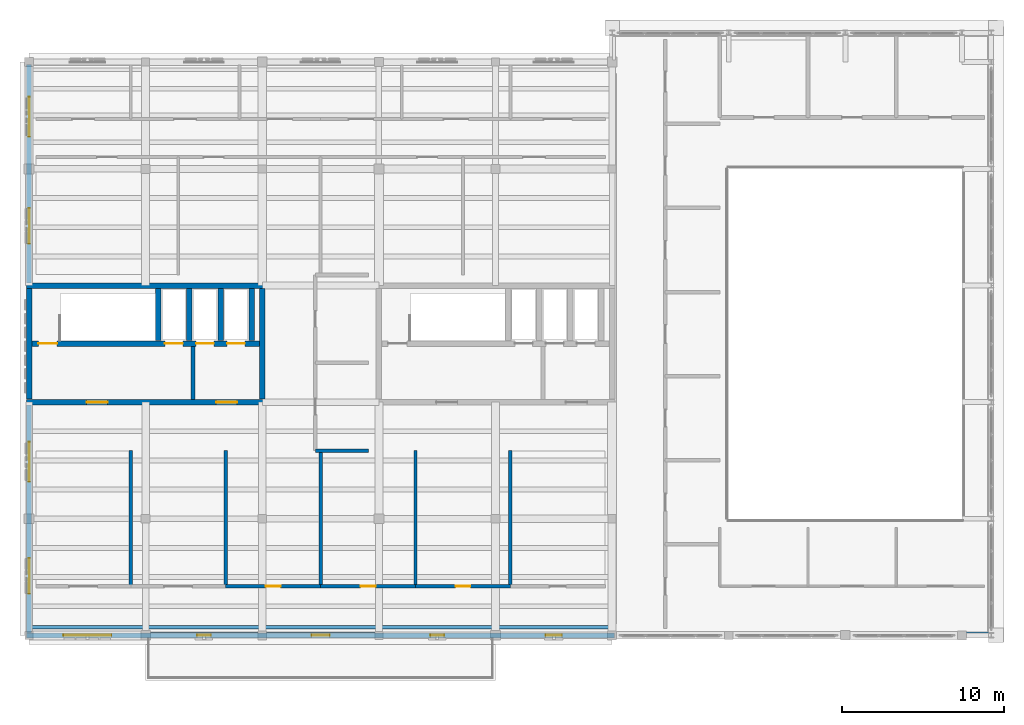
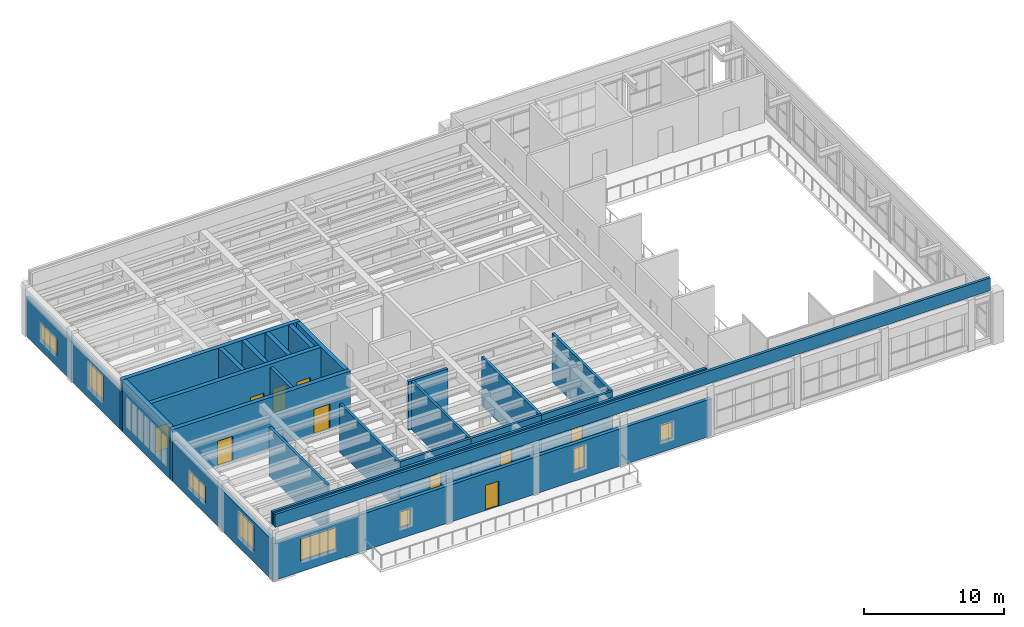
# One storey, part 13 of 18: 24 walls, 10 doors, 8 windows, 18 openings.
"""IFC4 building model written with IfcOpenShell, lengths in metres."""

from ifc_helpers import new_model, si_unit, direction, frame, frame_2d, origin, place, context, subcontext, project, spatial, rectangle, extrude, material, layer, layer_set, type_object, element, fill, save


model = new_model("IFC4")

# Units and contexts
model_context = context("Model", 3, precision=1e-05, world=origin(), true_north=direction((0.0, 1.0)))
body_context = subcontext(model_context, "Body", "Model", "MODEL_VIEW")
ifc_project = project(units=[si_unit("LENGTHUNIT", "METRE"), si_unit("AREAUNIT", "SQUARE_METRE"), si_unit("VOLUMEUNIT", "CUBIC_METRE"), si_unit("PLANEANGLEUNIT", "RADIAN"), si_unit("MASSUNIT", "GRAM", prefix="KILO")], contexts=[model_context])

# Site, building, storey
site_placement = place(None, origin())
site = spatial("IfcSite", under=ifc_project, at=site_placement, CompositionType="ELEMENT")
building_placement = place(site_placement, origin())
building = spatial("IfcBuilding", under=site, at=building_placement, Name="Mithqara Police Headquarters", CompositionType="ELEMENT")
storey_placement = place(building_placement, frame((0.0, 0.0, 30.89990234375)))
storey = spatial("IfcBuildingStorey", under=building, at=storey_placement, Name="L07", CompositionType="ELEMENT", Elevation=30.89990234375)

# Wall
ifc_material_1 = material(Name="Concrete C40/50", Category="concrete")
ifc_layer_1 = layer(ifc_material_1, 0.239990234375, Name="Concrete C40/50")
ifc_layer_set_1 = layer_set([ifc_layer_1], Name="Concrete C40/50")
wall_type_1 = type_object("IfcWallType", Name="CORE LOBBY WALL 240", PredefinedType="SOLIDWALL", material=ifc_layer_set_1)
wall_1_placement = place(storey_placement, frame((118.72998046875, 93.169921875, 0.0), z_axis=(0.0, 0.0, 1.0), x_axis=(0.0, 1.0, 0.0)))
element("IfcWall", 1, at=wall_1_placement, inside=storey, type_object=wall_type_1, Name="Core C1 Command West Firefighting Lobby Separation Wall L07", PredefinedType="SOLIDWALL", context=body_context, shape_type="SweptSolid", body=[
    extrude(rectangle(XDim=3.280029296875, YDim=0.239990234375, at=frame_2d((1.64013671875, 0.0))), origin(), (0.0, 0.0, 1.0), 4.22021484375),
])

# Wall, openings, door, windows
ifc_material_2 = material(Name="Ochre masonry cavity wall, 35 MPa", Category="masonry")
ifc_layer_2 = layer(ifc_material_2, 0.300048828125, Name="Ochre masonry cavity wall, 35 MPa")
ifc_layer_set_2 = layer_set([ifc_layer_2], Name="Ochre masonry cavity wall, 35 MPa")
wall_type_2 = type_object("IfcWallType", Name="EXT WALL OCHRE BRICK300", PredefinedType="SOLIDWALL", material=ifc_layer_set_2)
wall_2_placement = place(storey_placement, frame((108.449951171875, 78.60009765625, 0.0), z_axis=(0.0, 0.0, 1.0), x_axis=(1.0, 0.0, 0.0)))
wall_2 = element("IfcWall", 2, at=wall_2_placement, inside=storey, type_object=wall_type_2, Name="L07 Exterior Wall 1.1", PredefinedType="SOLIDWALL", context=body_context, shape_type="SweptSolid", body=[
    extrude(rectangle(XDim=36.300048828125, YDim=0.300048828125, at=frame_2d((18.14990234375, 0.0))), origin(), (0.0, 0.0, 1.0), 3.25),
])
opening_1_placement = place(wall_2_placement, frame((17.60009765625, 0.0, 0.0)))
opening_1 = element("IfcOpeningElement", 3, at=opening_1_placement, cuts=wall_2, Name="Opening TD-01", PredefinedType="OPENING", context=body_context, shape_type="SweptSolid", body=[
    extrude(rectangle(XDim=1.10009765625, YDim=2.199951171875, at=frame_2d((0.550048828125, 1.10009765625))), frame((0.0, 0.16015625, 0.0), z_axis=(0.0, -1.0, 0.0), x_axis=(1.0, 0.0, 0.0)), (0.0, 0.0, 1.0), 0.320068359375),
])
opening_2_placement = place(wall_2_placement, frame((2.27490234375, 0.0, 0.949951171875)))
opening_2 = element("IfcOpeningElement", 4, at=opening_2_placement, cuts=wall_2, Name="Opening W-58", PredefinedType="OPENING", context=body_context, shape_type="SweptSolid", body=[
    extrude(rectangle(XDim=2.949951171875, YDim=1.89990234375, at=frame_2d((1.47509765625, 0.949951171875))), frame((0.0, 0.16015625, 0.0), z_axis=(0.0, -1.0, 0.0), x_axis=(1.0, 0.0, 0.0)), (0.0, 0.0, 1.0), 0.320068359375),
])
opening_3_placement = place(wall_2_placement, frame((10.52490234375, 0.0, 0.949951171875)))
opening_3 = element("IfcOpeningElement", 5, at=opening_3_placement, cuts=wall_2, Name="Opening W-01", PredefinedType="OPENING", context=body_context, shape_type="SweptSolid", body=[
    extrude(rectangle(XDim=0.85009765625, YDim=1.39990234375, at=frame_2d((0.425048828125, 0.699951171875))), frame((0.0, 0.16015625, 0.0), z_axis=(0.0, -1.0, 0.0), x_axis=(1.0, 0.0, 0.0)), (0.0, 0.0, 1.0), 0.320068359375),
])
opening_4_placement = place(wall_2_placement, frame((24.925048828125, 0.0, 0.949951171875)))
opening_4 = element("IfcOpeningElement", 6, at=opening_4_placement, cuts=wall_2, Name="Opening W-03", PredefinedType="OPENING", context=body_context, shape_type="SweptSolid", body=[
    extrude(rectangle(XDim=0.85009765625, YDim=1.89990234375, at=frame_2d((0.425048828125, 0.949951171875))), frame((0.0, 0.16015625, 0.0), z_axis=(0.0, -1.0, 0.0), x_axis=(1.0, 0.0, 0.0)), (0.0, 0.0, 1.0), 0.320068359375),
])
opening_5_placement = place(wall_2_placement, frame((32.050048828125, 0.0, 0.949951171875)))
opening_5 = element("IfcOpeningElement", 7, at=opening_5_placement, cuts=wall_2, Name="Opening W-06", PredefinedType="OPENING", context=body_context, shape_type="SweptSolid", body=[
    extrude(rectangle(XDim=1.0, YDim=1.39990234375, at=frame_2d((0.5, 0.699951171875))), frame((0.0, 0.16015625, 0.0), z_axis=(0.0, -1.0, 0.0), x_axis=(1.0, 0.0, 0.0)), (0.0, 0.0, 1.0), 0.320068359375),
])
ifc_material_3 = material(Name="Bronze anodised aluminium 6063-T6", Category="aluminium")
door_type_1 = type_object("IfcDoorType", Name="EXT DOOR TERRACE 1100X2200", OperationType="NOTDEFINED", PredefinedType="DOOR", material=ifc_material_3)
door_1_placement = place(opening_1_placement, frame((1.10009765625, 0.0, 0.0), z_axis=(0.0, 0.0, 1.0), x_axis=(-1.0, 0.0, 0.0)))
door_1 = element("IfcDoor", 8, at=door_1_placement, inside=storey, type_object=door_type_1, Name="L07 Terrace Access Door TER-L07-S", OperationType="SINGLE_SWING_LEFT", OverallHeight=2.199951171875, OverallWidth=1.10009765625, PredefinedType="DOOR", context=body_context, shape_type="SweptSolid", body=[
    extrude(rectangle(XDim=1.10009765625, YDim=2.199951171875, at=frame_2d((0.550048828125, 1.10009765625))), frame((0.0, 0.02490234375, 0.0), z_axis=(0.0, -1.0, 0.0), x_axis=(1.0, 0.0, 0.0)), (0.0, 0.0, 1.0), 0.050048828125),
])
fill(opening_1, door_1)
ifc_material_4 = material(Name="Spectrally selective double low-e glass", Category="glass")
window_type_1 = type_object("IfcWindowType", Name="WINDOW 1000X1400", PartitioningType="SINGLE_PANEL", PredefinedType="WINDOW", material=ifc_material_4)
window_1_placement = place(opening_5_placement, origin())
window_1 = element("IfcWindow", 9, at=window_1_placement, inside=storey, type_object=window_type_1, Name="L07 Command Block Screened Window 1.5", OverallHeight=1.39990234375, OverallWidth=1.0, PartitioningType="SINGLE_PANEL", PredefinedType="WINDOW", context=body_context, shape_type="SweptSolid", body=[
    extrude(rectangle(XDim=1.0, YDim=1.39990234375, at=frame_2d((0.5, 0.699951171875))), frame((0.0, 0.030029296875, 0.0), z_axis=(0.0, -1.0, 0.0), x_axis=(1.0, 0.0, 0.0)), (0.0, 0.0, 1.0), 0.06005859375),
])
fill(opening_5, window_1)
window_type_2 = type_object("IfcWindowType", Name="WINDOW 2950X1900", PartitioningType="DOUBLE_PANEL_VERTICAL", PredefinedType="WINDOW", material=ifc_material_4)
window_2_placement = place(opening_2_placement, origin())
window_2 = element("IfcWindow", 10, at=window_2_placement, inside=storey, type_object=window_type_2, Name="L07 Command Block Screened Window 1.1", OverallHeight=1.89990234375, OverallWidth=2.949951171875, PartitioningType="SINGLE_PANEL", PredefinedType="WINDOW", context=body_context, shape_type="SweptSolid", body=[
    extrude(rectangle(XDim=2.949951171875, YDim=1.89990234375, at=frame_2d((1.47509765625, 0.949951171875))), frame((0.0, 0.030029296875, 0.0), z_axis=(0.0, -1.0, 0.0), x_axis=(1.0, 0.0, 0.0)), (0.0, 0.0, 1.0), 0.06005859375),
])
fill(opening_2, window_2)
window_type_3 = type_object("IfcWindowType", Name="WINDOW 850X1400", PartitioningType="SINGLE_PANEL", PredefinedType="WINDOW", material=ifc_material_4)
window_3_placement = place(opening_3_placement, origin())
window_3 = element("IfcWindow", 11, at=window_3_placement, inside=storey, type_object=window_type_3, Name="L07 Command Block Screened Window 1.2", OverallHeight=1.39990234375, OverallWidth=0.85009765625, PartitioningType="SINGLE_PANEL", PredefinedType="WINDOW", context=body_context, shape_type="SweptSolid", body=[
    extrude(rectangle(XDim=0.85009765625, YDim=1.39990234375, at=frame_2d((0.425048828125, 0.699951171875))), frame((0.0, 0.030029296875, 0.0), z_axis=(0.0, -1.0, 0.0), x_axis=(1.0, 0.0, 0.0)), (0.0, 0.0, 1.0), 0.06005859375),
])
fill(opening_3, window_3)
window_type_4 = type_object("IfcWindowType", Name="WINDOW 850X1900", PartitioningType="SINGLE_PANEL", PredefinedType="WINDOW", material=ifc_material_4)
window_4_placement = place(opening_4_placement, origin())
window_4 = element("IfcWindow", 12, at=window_4_placement, inside=storey, type_object=window_type_4, Name="L07 Command Block Screened Window 1.4", OverallHeight=1.89990234375, OverallWidth=0.85009765625, PartitioningType="SINGLE_PANEL", PredefinedType="WINDOW", context=body_context, shape_type="SweptSolid", body=[
    extrude(rectangle(XDim=0.85009765625, YDim=1.89990234375, at=frame_2d((0.425048828125, 0.949951171875))), frame((0.0, 0.030029296875, 0.0), z_axis=(0.0, -1.0, 0.0), x_axis=(1.0, 0.0, 0.0)), (0.0, 0.0, 1.0), 0.06005859375),
])
fill(opening_4, window_4)

# Wall, openings, windows
wall_3_placement = place(storey_placement, frame((108.60009765625, 113.85009765625, 0.0), z_axis=(0.0, 0.0, 1.0), x_axis=(0.0, -1.0, 0.0)))
wall_3 = element("IfcWall", 13, at=wall_3_placement, inside=storey, type_object=wall_type_2, Name="L07 Exterior Wall 7.1", PredefinedType="SOLIDWALL", context=body_context, shape_type="SweptSolid", body=[
    extrude(rectangle(XDim=13.47998046875, YDim=0.300048828125, at=frame_2d((6.739990234375, 0.0))), origin(), (0.0, 0.0, 1.0), 3.400146484375),
])
opening_6_placement = place(wall_3_placement, frame((8.864990234375, 0.0, 0.949951171875)))
opening_6 = element("IfcOpeningElement", 14, at=opening_6_placement, cuts=wall_3, Name="Opening W-44", PredefinedType="OPENING", context=body_context, shape_type="SweptSolid", body=[
    extrude(rectangle(XDim=2.199951171875, YDim=2.14990234375, at=frame_2d((1.10009765625, 1.074951171875))), frame((0.0, 0.16015625, 0.0), z_axis=(0.0, -1.0, 0.0), x_axis=(1.0, 0.0, 0.0)), (0.0, 0.0, 1.0), 0.320068359375),
])
opening_7_placement = place(wall_3_placement, frame((2.0, 0.0, 0.949951171875)))
opening_7 = element("IfcOpeningElement", 15, at=opening_7_placement, cuts=wall_3, Name="Opening W-46", PredefinedType="OPENING", context=body_context, shape_type="SweptSolid", body=[
    extrude(rectangle(XDim=2.449951171875, YDim=1.39990234375, at=frame_2d((1.22509765625, 0.699951171875))), frame((0.0, 0.16015625, 0.0), z_axis=(0.0, -1.0, 0.0), x_axis=(1.0, 0.0, 0.0)), (0.0, 0.0, 1.0), 0.320068359375),
])
window_type_5 = type_object("IfcWindowType", Name="WINDOW 2200X2150", PartitioningType="DOUBLE_PANEL_VERTICAL", PredefinedType="WINDOW", material=ifc_material_4)
window_5_placement = place(opening_6_placement, origin())
window_5 = element("IfcWindow", 16, at=window_5_placement, inside=storey, type_object=window_type_5, Name="L07 Command Block Screened Window 7.1", OverallHeight=2.14990234375, OverallWidth=2.199951171875, PartitioningType="SINGLE_PANEL", PredefinedType="WINDOW", context=body_context, shape_type="SweptSolid", body=[
    extrude(rectangle(XDim=2.199951171875, YDim=2.14990234375, at=frame_2d((1.10009765625, 1.074951171875))), frame((0.0, 0.030029296875, 0.0), z_axis=(0.0, -1.0, 0.0), x_axis=(1.0, 0.0, 0.0)), (0.0, 0.0, 1.0), 0.06005859375),
])
fill(opening_6, window_5)
window_type_6 = type_object("IfcWindowType", Name="WINDOW 2450X1400", PartitioningType="DOUBLE_PANEL_VERTICAL", PredefinedType="WINDOW", material=ifc_material_4)
window_6_placement = place(opening_7_placement, origin())
window_6 = element("IfcWindow", 17, at=window_6_placement, inside=storey, type_object=window_type_6, Name="L07 Command Block Screened Window 7.2", OverallHeight=1.39990234375, OverallWidth=2.449951171875, PartitioningType="SINGLE_PANEL", PredefinedType="WINDOW", context=body_context, shape_type="SweptSolid", body=[
    extrude(rectangle(XDim=2.449951171875, YDim=1.39990234375, at=frame_2d((1.22509765625, 0.699951171875))), frame((0.0, 0.030029296875, 0.0), z_axis=(0.0, -1.0, 0.0), x_axis=(1.0, 0.0, 0.0)), (0.0, 0.0, 1.0), 0.06005859375),
])
fill(opening_7, window_6)

wall_4_placement = place(storey_placement, frame((108.60009765625, 92.830078125, 0.0), z_axis=(0.0, 0.0, 1.0), x_axis=(0.0, -1.0, 0.0)))
wall_4 = element("IfcWall", 18, at=wall_4_placement, inside=storey, type_object=wall_type_2, Name="L07 Exterior Wall 7.2", PredefinedType="SOLIDWALL", context=body_context, shape_type="SweptSolid", body=[
    extrude(rectangle(XDim=14.080078125, YDim=0.300048828125, at=frame_2d((7.0400390625, 0.0))), origin(), (0.0, 0.0, 1.0), 3.5),
])
opening_8_placement = place(wall_4_placement, frame((9.455078125, 0.0, 0.949951171875)))
opening_8 = element("IfcOpeningElement", 19, at=opening_8_placement, cuts=wall_4, Name="Opening W-44", PredefinedType="OPENING", context=body_context, shape_type="SweptSolid", body=[
    extrude(rectangle(XDim=2.199951171875, YDim=2.14990234375, at=frame_2d((1.10009765625, 1.074951171875))), frame((0.0, 0.16015625, 0.0), z_axis=(0.0, -1.0, 0.0), x_axis=(1.0, 0.0, 0.0)), (0.0, 0.0, 1.0), 0.320068359375),
])
opening_9_placement = place(wall_4_placement, frame((2.2900390625, 0.0, 0.949951171875)))
opening_9 = element("IfcOpeningElement", 20, at=opening_9_placement, cuts=wall_4, Name="Opening W-46", PredefinedType="OPENING", context=body_context, shape_type="SweptSolid", body=[
    extrude(rectangle(XDim=2.449951171875, YDim=1.39990234375, at=frame_2d((1.22509765625, 0.699951171875))), frame((0.0, 0.16015625, 0.0), z_axis=(0.0, -1.0, 0.0), x_axis=(1.0, 0.0, 0.0)), (0.0, 0.0, 1.0), 0.320068359375),
])
window_7_placement = place(opening_8_placement, origin())
window_7 = element("IfcWindow", 21, at=window_7_placement, inside=storey, type_object=window_type_5, Name="L07 Command Block Screened Window 7.1", OverallHeight=2.14990234375, OverallWidth=2.199951171875, PartitioningType="SINGLE_PANEL", PredefinedType="WINDOW", context=body_context, shape_type="SweptSolid", body=[
    extrude(rectangle(XDim=2.199951171875, YDim=2.14990234375, at=frame_2d((1.10009765625, 1.074951171875))), frame((0.0, 0.030029296875, 0.0), z_axis=(0.0, -1.0, 0.0), x_axis=(1.0, 0.0, 0.0)), (0.0, 0.0, 1.0), 0.06005859375),
])
fill(opening_8, window_7)
window_8_placement = place(opening_9_placement, origin())
window_8 = element("IfcWindow", 22, at=window_8_placement, inside=storey, type_object=window_type_6, Name="L07 Command Block Screened Window 7.2", OverallHeight=1.39990234375, OverallWidth=2.449951171875, PartitioningType="SINGLE_PANEL", PredefinedType="WINDOW", context=body_context, shape_type="SweptSolid", body=[
    extrude(rectangle(XDim=2.449951171875, YDim=1.39990234375, at=frame_2d((1.22509765625, 0.699951171875))), frame((0.0, 0.030029296875, 0.0), z_axis=(0.0, -1.0, 0.0), x_axis=(1.0, 0.0, 0.0)), (0.0, 0.0, 1.0), 0.06005859375),
])
fill(opening_9, window_8)

# Walls
ifc_material_5 = material(Name="Limestone ashlar masonry, 45 MPa", Category="masonry")
ifc_layer_3 = layer(ifc_material_5, 0.219970703125, Name="Limestone ashlar masonry, 45 MPa")
ifc_layer_set_3 = layer_set([ifc_layer_3], Name="Limestone ashlar masonry, 45 MPa")
wall_type_3 = type_object("IfcWallType", Name="PARAPET WALL 220", PredefinedType="PARAPET", material=ifc_layer_set_3)
wall_5_placement = place(storey_placement, frame((108.7099609375, 79.090087890625, 4.5), z_axis=(0.0, 0.0, 1.0), x_axis=(1.0, 0.0, 0.0)))
element("IfcWall", 23, at=wall_5_placement, inside=storey, type_object=wall_type_3, Name="ROOF Limestone Roof Parapet ROOF-L07-00-1", PredefinedType="PARAPET", context=body_context, shape_type="SweptSolid", body=[
    extrude(rectangle(XDim=35.93994140625, YDim=0.219970703125, at=frame_2d((17.969970703125, 0.0))), origin(), (0.0, 0.0, 1.0), 1.1201171875),
])
wall_6_placement = place(storey_placement, frame((167.889892578125, 78.7099609375, 4.5), z_axis=(0.0, 0.0, 1.0), x_axis=(-1.0, 0.0, 0.0)))
element("IfcWall", 24, at=wall_6_placement, inside=storey, type_object=wall_type_3, Name="ROOF Limestone Roof Parapet ROOF-L07-00-57", PredefinedType="PARAPET", context=body_context, shape_type="SweptSolid", body=[
    extrude(rectangle(XDim=59.179931640625, YDim=0.219970703125, at=frame_2d((29.58984375, 0.0))), origin(), (0.0, 0.0, 1.0), 1.1201171875),
])
ifc_layer_4 = layer(ifc_material_1, 0.2099609375, Name="Concrete C40/50")
ifc_layer_set_4 = layer_set([ifc_layer_4], Name="Concrete C40/50")
wall_type_4 = type_object("IfcWallType", Name="PART WALL 210", PredefinedType="PARTITIONING", material=ifc_layer_set_4)
for number, where, z_axis, x_axis, name in (
    (25, (114.8798828125, 81.639892578125, 0.0), (0.0, 0.0, 1.0), (0.0, 1.0, 0.0), "L07 Room Partition Interagency Situation Room"),
    (26, (120.739990234375, 81.639892578125, 0.0), (0.0, 0.0, 1.0), (0.0, 1.0, 0.0), "L07 Room Partition Secure Satellite Communications Room"),
):
    element("IfcWall", number, at=place(storey_placement, frame(where, z_axis=z_axis, x_axis=x_axis)), inside=storey, type_object=wall_type_4, Name=name, PredefinedType="PARTITIONING", context=body_context, shape_type="SweptSolid", body=[
        extrude(rectangle(XDim=8.360107421875, YDim=0.2099609375, at=frame_2d((4.18017578125, 0.0))), origin(), (0.0, 0.0, 1.0), 4.25),
    ])

# Wall, opening, door
wall_7_placement = place(storey_placement, frame((120.739990234375, 81.639892578125, 0.0), z_axis=(0.0, 0.0, 1.0), x_axis=(1.0, 0.0, 0.0)))
wall_7 = element("IfcWall", 27, at=wall_7_placement, inside=storey, type_object=wall_type_4, Name="L07 Corridor Wall Executive Conference Room", PredefinedType="PARTITIONING", context=body_context, shape_type="SweptSolid", body=[
    extrude(rectangle(XDim=5.860107421875, YDim=0.2099609375, at=frame_2d((2.93017578125, 0.0))), origin(), (0.0, 0.0, 1.0), 4.25),
])
opening_10_placement = place(wall_7_placement, frame((2.469970703125, 0.0, 0.0)))
opening_10 = element("IfcOpeningElement", 28, at=opening_10_placement, cuts=wall_7, Name="Opening D-01", PredefinedType="OPENING", context=body_context, shape_type="SweptSolid", body=[
    extrude(rectangle(XDim=0.919921875, YDim=2.10009765625, at=frame_2d((0.4599609375, 1.050048828125))), frame((0.0, 0.114990234375, 0.0), z_axis=(0.0, -1.0, 0.0), x_axis=(1.0, 0.0, 0.0)), (0.0, 0.0, 1.0), 0.22998046875),
])
ifc_material_6 = material(Name="Acoustic solid-core timber leaf", Category="wood")
door_type_2 = type_object("IfcDoorType", Name="INT DOOR 920X2100", OperationType="NOTDEFINED", PredefinedType="DOOR", material=ifc_material_6)
door_2_placement = place(opening_10_placement, origin())
door_2 = element("IfcDoor", 29, at=door_2_placement, inside=storey, type_object=door_type_2, Name="Executive Conference Room Entry Door", OperationType="SINGLE_SWING_RIGHT", OverallHeight=2.10009765625, OverallWidth=0.919921875, PredefinedType="DOOR", context=body_context, shape_type="SweptSolid", body=[
    extrude(rectangle(XDim=0.919921875, YDim=2.10009765625, at=frame_2d((0.4599609375, 1.050048828125))), frame((0.0, 0.02490234375, 0.0), z_axis=(0.0, -1.0, 0.0), x_axis=(1.0, 0.0, 0.0)), (0.0, 0.0, 1.0), 0.050048828125),
])
fill(opening_10, door_2)

# Wall
wall_8_placement = place(storey_placement, frame((126.60009765625, 81.639892578125, 0.0), z_axis=(0.0, 0.0, 1.0), x_axis=(0.0, 1.0, 0.0)))
element("IfcWall", 30, at=wall_8_placement, inside=storey, type_object=wall_type_4, Name="L07 Room Partition Executive Conference Room", PredefinedType="PARTITIONING", context=body_context, shape_type="SweptSolid", body=[
    extrude(rectangle(XDim=8.360107421875, YDim=0.2099609375, at=frame_2d((4.18017578125, 0.0))), origin(), (0.0, 0.0, 1.0), 4.25),
])

# Wall, opening, door
wall_9_placement = place(storey_placement, frame((126.60009765625, 81.639892578125, 0.0), z_axis=(0.0, 0.0, 1.0), x_axis=(1.0, 0.0, 0.0)))
wall_9 = element("IfcWall", 31, at=wall_9_placement, inside=storey, type_object=wall_type_4, Name="L07 Corridor Wall Male Staff WC", PredefinedType="PARTITIONING", context=body_context, shape_type="SweptSolid", body=[
    extrude(rectangle(XDim=5.85986328125, YDim=0.2099609375, at=frame_2d((2.929931640625, 0.0))), origin(), (0.0, 0.0, 1.0), 4.25),
])
opening_11_placement = place(wall_9_placement, frame((2.469970703125, 0.0, 0.0)))
opening_11 = element("IfcOpeningElement", 32, at=opening_11_placement, cuts=wall_9, Name="Opening D-02", PredefinedType="OPENING", context=body_context, shape_type="SweptSolid", body=[
    extrude(rectangle(XDim=0.919921875, YDim=2.219970703125, at=frame_2d((0.4599609375, 1.10986328125))), frame((0.0, 0.114990234375, 0.0), z_axis=(0.0, -1.0, 0.0), x_axis=(1.0, 0.0, 0.0)), (0.0, 0.0, 1.0), 0.22998046875),
])
door_type_3 = type_object("IfcDoorType", Name="INT DOOR 920X2220", OperationType="NOTDEFINED", PredefinedType="DOOR", material=ifc_material_6)
door_3_placement = place(opening_11_placement, origin())
door_3 = element("IfcDoor", 33, at=door_3_placement, inside=storey, type_object=door_type_3, Name="Male Staff WC Entry Door", OperationType="SINGLE_SWING_LEFT", OverallHeight=2.219970703125, OverallWidth=0.919921875, PredefinedType="DOOR", context=body_context, shape_type="SweptSolid", body=[
    extrude(rectangle(XDim=0.919921875, YDim=2.219970703125, at=frame_2d((0.4599609375, 1.10986328125))), frame((0.0, 0.02490234375, 0.0), z_axis=(0.0, -1.0, 0.0), x_axis=(1.0, 0.0, 0.0)), (0.0, 0.0, 1.0), 0.050048828125),
])
fill(opening_11, door_3)

# Wall
wall_10_placement = place(storey_placement, frame((132.4599609375, 81.639892578125, 0.0), z_axis=(0.0, 0.0, 1.0), x_axis=(0.0, 1.0, 0.0)))
element("IfcWall", 34, at=wall_10_placement, inside=storey, type_object=wall_type_4, Name="L07 Room Partition Male Staff WC", PredefinedType="PARTITIONING", context=body_context, shape_type="SweptSolid", body=[
    extrude(rectangle(XDim=8.360107421875, YDim=0.2099609375, at=frame_2d((4.18017578125, 0.0))), origin(), (0.0, 0.0, 1.0), 4.25),
])

# Wall, opening, door
wall_11_placement = place(storey_placement, frame((132.4599609375, 81.639892578125, 0.0), z_axis=(0.0, 0.0, 1.0), x_axis=(1.0, 0.0, 0.0)))
wall_11 = element("IfcWall", 35, at=wall_11_placement, inside=storey, type_object=wall_type_4, Name="L07 Corridor Wall Female Staff WC", PredefinedType="PARTITIONING", context=body_context, shape_type="SweptSolid", body=[
    extrude(rectangle(XDim=5.860107421875, YDim=0.2099609375, at=frame_2d((2.93017578125, 0.0))), origin(), (0.0, 0.0, 1.0), 4.25),
])
opening_12_placement = place(wall_11_placement, frame((2.469970703125, 0.0, 0.0)))
opening_12 = element("IfcOpeningElement", 36, at=opening_12_placement, cuts=wall_11, Name="Opening D-03", PredefinedType="OPENING", context=body_context, shape_type="SweptSolid", body=[
    extrude(rectangle(XDim=0.919921875, YDim=2.35009765625, at=frame_2d((0.4599609375, 1.175048828125))), frame((0.0, 0.114990234375, 0.0), z_axis=(0.0, -1.0, 0.0), x_axis=(1.0, 0.0, 0.0)), (0.0, 0.0, 1.0), 0.22998046875),
])
door_type_4 = type_object("IfcDoorType", Name="INT DOOR 920X2350", OperationType="NOTDEFINED", PredefinedType="DOOR", material=ifc_material_6)
door_4_placement = place(opening_12_placement, origin())
door_4 = element("IfcDoor", 37, at=door_4_placement, inside=storey, type_object=door_type_4, Name="Female Staff WC Entry Door", OperationType="SINGLE_SWING_RIGHT", OverallHeight=2.35009765625, OverallWidth=0.919921875, PredefinedType="DOOR", context=body_context, shape_type="SweptSolid", body=[
    extrude(rectangle(XDim=0.919921875, YDim=2.35009765625, at=frame_2d((0.4599609375, 1.175048828125))), frame((0.0, 0.02490234375, 0.0), z_axis=(0.0, -1.0, 0.0), x_axis=(1.0, 0.0, 0.0)), (0.0, 0.0, 1.0), 0.050048828125),
])
fill(opening_12, door_4)

# Walls
wall_12_placement = place(storey_placement, frame((138.320068359375, 81.639892578125, 0.0), z_axis=(0.0, 0.0, 1.0), x_axis=(0.0, 1.0, 0.0)))
element("IfcWall", 38, at=wall_12_placement, inside=storey, type_object=wall_type_4, Name="L07 Room Partition Female Staff WC", PredefinedType="PARTITIONING", context=body_context, shape_type="SweptSolid", body=[
    extrude(rectangle(XDim=8.360107421875, YDim=0.2099609375, at=frame_2d((4.18017578125, 0.0))), origin(), (0.0, 0.0, 1.0), 4.25),
])
ifc_layer_5 = layer(ifc_material_1, 0.22998046875, Name="Concrete C40/50")
ifc_layer_set_5 = layer_set([ifc_layer_5], Name="Concrete C40/50")
wall_type_5 = type_object("IfcWallType", Name="PART WALL 230", PredefinedType="PARTITIONING", material=ifc_layer_set_5)
wall_13_placement = place(storey_placement, frame((126.27001953125, 90.0, 0.0), z_axis=(0.0, 0.0, 1.0), x_axis=(1.0, 0.0, 0.0)))
element("IfcWall", 39, at=wall_13_placement, inside=storey, type_object=wall_type_5, Name="L07 Partition End Closure E0", PredefinedType="PARTITIONING", context=body_context, shape_type="SweptSolid", body=[
    extrude(rectangle(XDim=3.280029296875, YDim=0.22998046875, at=frame_2d((1.64013671875, 0.0))), origin(), (0.0, 0.0, 1.0), 4.25),
])
ifc_material_7 = material(Name="Concrete C50/60", Category="concrete")
ifc_layer_6 = layer(ifc_material_7, 0.340087890625, Name="Concrete C50/60")
ifc_layer_set_6 = layer_set([ifc_layer_6], Name="Concrete C50/60")
wall_type_6 = type_object("IfcWallType", Name="SHEAR WALL 340", PredefinedType="SHEAR", material=ifc_layer_set_6)
wall_14_placement = place(storey_placement, frame((108.429931640625, 100.199951171875, 0.0), z_axis=(0.0, 0.0, 1.0), x_axis=(1.0, 0.0, 0.0)))
element("IfcWall", 40, at=wall_14_placement, inside=storey, type_object=wall_type_6, Name="Core C1 Command West Shear Wall N", PredefinedType="SHEAR", context=body_context, shape_type="SweptSolid", body=[
    extrude(rectangle(XDim=14.739990234375, YDim=0.340087890625, at=frame_2d((7.3701171875, 0.0))), origin(), (0.0, 0.0, 1.0), 4.5),
])

# Wall, openings, doors
wall_15_placement = place(storey_placement, frame((108.429931640625, 93.0, 0.0), z_axis=(0.0, 0.0, 1.0), x_axis=(1.0, 0.0, 0.0)))
wall_15 = element("IfcWall", 41, at=wall_15_placement, inside=storey, type_object=wall_type_6, Name="Core C1 Command West Shear Wall S", PredefinedType="SHEAR", context=body_context, shape_type="SweptSolid", body=[
    extrude(rectangle(XDim=14.739990234375, YDim=0.340087890625, at=frame_2d((7.3701171875, 0.0))), origin(), (0.0, 0.0, 1.0), 4.5),
])
opening_13_placement = place(wall_15_placement, frame((3.719970703125, 0.0, 0.0)))
opening_13 = element("IfcOpeningElement", 42, at=opening_13_placement, cuts=wall_15, Name="Opening FD-02", PredefinedType="OPENING", context=body_context, shape_type="SweptSolid", body=[
    extrude(rectangle(XDim=1.300048828125, YDim=2.199951171875, at=frame_2d((0.64990234375, 1.10009765625))), frame((0.0, 0.18017578125, 0.0), z_axis=(0.0, -1.0, 0.0), x_axis=(1.0, 0.0, 0.0)), (0.0, 0.0, 1.0), 0.360107421875),
])
opening_14_placement = place(wall_15_placement, frame((11.719970703125, 0.0, 0.0)))
opening_14 = element("IfcOpeningElement", 43, at=opening_14_placement, cuts=wall_15, Name="Opening FD-02", PredefinedType="OPENING", context=body_context, shape_type="SweptSolid", body=[
    extrude(rectangle(XDim=1.300048828125, YDim=2.199951171875, at=frame_2d((0.64990234375, 1.10009765625))), frame((0.0, 0.18017578125, 0.0), z_axis=(0.0, -1.0, 0.0), x_axis=(1.0, 0.0, 0.0)), (0.0, 0.0, 1.0), 0.360107421875),
])
ifc_material_8 = material(Name="Steel S355JR", Category="steel")
door_type_5 = type_object("IfcDoorType", Name="CORE DOOR LOBBY 1300X2200", OperationType="NOTDEFINED", PredefinedType="DOOR", material=ifc_material_8)
door_5_placement = place(opening_13_placement, frame((1.300048828125, 0.0, 0.0), z_axis=(0.0, 0.0, 1.0), x_axis=(-1.0, 0.0, 0.0)))
door_5 = element("IfcDoor", 44, at=door_5_placement, inside=storey, type_object=door_type_5, Name="Core C1 Command West FF Lobby Fire Door L07", OperationType="SINGLE_SWING_LEFT", OverallHeight=2.199951171875, OverallWidth=1.300048828125, PredefinedType="DOOR", context=body_context, shape_type="SweptSolid", body=[
    extrude(rectangle(XDim=1.300048828125, YDim=2.199951171875, at=frame_2d((0.64990234375, 1.10009765625))), frame((0.0, 0.02490234375, 0.0), z_axis=(0.0, -1.0, 0.0), x_axis=(1.0, 0.0, 0.0)), (0.0, 0.0, 1.0), 0.050048828125),
])
fill(opening_13, door_5)
door_6_placement = place(opening_14_placement, frame((1.300048828125, 0.0, 0.0), z_axis=(0.0, 0.0, 1.0), x_axis=(-1.0, 0.0, 0.0)))
door_6 = element("IfcDoor", 45, at=door_6_placement, inside=storey, type_object=door_type_5, Name="Core C1 Command West PA Lobby Fire Door L07", OperationType="SINGLE_SWING_RIGHT", OverallHeight=2.199951171875, OverallWidth=1.300048828125, PredefinedType="DOOR", context=body_context, shape_type="SweptSolid", body=[
    extrude(rectangle(XDim=1.300048828125, YDim=2.199951171875, at=frame_2d((0.64990234375, 1.10009765625))), frame((0.0, 0.02490234375, 0.0), z_axis=(0.0, -1.0, 0.0), x_axis=(1.0, 0.0, 0.0)), (0.0, 0.0, 1.0), 0.050048828125),
])
fill(opening_14, door_6)

# Walls
for number, where, z_axis, x_axis, name in (
    (46, (108.60009765625, 93.179931640625, 0.0), (0.0, 0.0, 1.0), (0.0, 1.0, 0.0), "Core C1 Command West Shear Wall W"),
    (47, (123.0, 93.179931640625, 0.0), (0.0, 0.0, 1.0), (0.0, 1.0, 0.0), "Core C1 Command West Shear Wall E"),
):
    element("IfcWall", number, at=place(storey_placement, frame(where, z_axis=z_axis, x_axis=x_axis)), inside=storey, type_object=wall_type_6, Name=name, PredefinedType="SHEAR", context=body_context, shape_type="SweptSolid", body=[
        extrude(rectangle(XDim=6.840087890625, YDim=0.340087890625, at=frame_2d((3.419921875, 0.0))), origin(), (0.0, 0.0, 1.0), 4.5),
    ])

# Wall, openings, doors
wall_16_placement = place(storey_placement, frame((108.780029296875, 96.6201171875, 0.0), z_axis=(0.0, 0.0, 1.0), x_axis=(1.0, 0.0, 0.0)))
wall_16 = element("IfcWall", 48, at=wall_16_placement, inside=storey, type_object=wall_type_6, Name="Core C1 Command West Shear Wall M", PredefinedType="SHEAR", context=body_context, shape_type="SweptSolid", body=[
    extrude(rectangle(XDim=14.0400390625, YDim=0.340087890625, at=frame_2d((7.02001953125, 0.0))), origin(), (0.0, 0.0, 1.0), 4.5),
])
opening_15_placement = place(wall_16_placement, frame((8.2099609375, 0.0, 0.0)))
opening_15 = element("IfcOpeningElement", 49, at=opening_15_placement, cuts=wall_16, Name="Opening LD-01", PredefinedType="OPENING", context=body_context, shape_type="SweptSolid", body=[
    extrude(rectangle(XDim=1.10009765625, YDim=2.14990234375, at=frame_2d((0.550048828125, 1.074951171875))), frame((0.0, 0.18017578125, 0.0), z_axis=(0.0, -1.0, 0.0), x_axis=(1.0, 0.0, 0.0)), (0.0, 0.0, 1.0), 0.360107421875),
])
opening_16_placement = place(wall_16_placement, frame((10.1298828125, 0.0, 0.0)))
opening_16 = element("IfcOpeningElement", 50, at=opening_16_placement, cuts=wall_16, Name="Opening LD-01", PredefinedType="OPENING", context=body_context, shape_type="SweptSolid", body=[
    extrude(rectangle(XDim=1.10009765625, YDim=2.14990234375, at=frame_2d((0.550048828125, 1.074951171875))), frame((0.0, 0.18017578125, 0.0), z_axis=(0.0, -1.0, 0.0), x_axis=(1.0, 0.0, 0.0)), (0.0, 0.0, 1.0), 0.360107421875),
])
opening_17_placement = place(wall_16_placement, frame((12.050048828125, 0.0, 0.0)))
opening_17 = element("IfcOpeningElement", 51, at=opening_17_placement, cuts=wall_16, Name="Opening LD-01", PredefinedType="OPENING", context=body_context, shape_type="SweptSolid", body=[
    extrude(rectangle(XDim=1.10009765625, YDim=2.14990234375, at=frame_2d((0.550048828125, 1.074951171875))), frame((0.0, 0.18017578125, 0.0), z_axis=(0.0, -1.0, 0.0), x_axis=(1.0, 0.0, 0.0)), (0.0, 0.0, 1.0), 0.360107421875),
])
opening_18_placement = place(wall_16_placement, frame((0.39501953125, 0.0, 0.0)))
opening_18 = element("IfcOpeningElement", 52, at=opening_18_placement, cuts=wall_16, Name="Opening FD-01", PredefinedType="OPENING", context=body_context, shape_type="SweptSolid", body=[
    extrude(rectangle(XDim=1.14990234375, YDim=2.14990234375, at=frame_2d((0.574951171875, 1.074951171875))), frame((0.0, 0.18017578125, 0.0), z_axis=(0.0, -1.0, 0.0), x_axis=(1.0, 0.0, 0.0)), (0.0, 0.0, 1.0), 0.360107421875),
])
door_type_6 = type_object("IfcDoorType", Name="CORE DOOR STAIR 1150X2150", OperationType="NOTDEFINED", PredefinedType="DOOR", material=ifc_material_8)
door_7_placement = place(opening_18_placement, origin())
door_7 = element("IfcDoor", 53, at=door_7_placement, inside=storey, type_object=door_type_6, Name="Stair ST-01 Fire Door L07", OperationType="SINGLE_SWING_RIGHT", OverallHeight=2.14990234375, OverallWidth=1.14990234375, PredefinedType="DOOR", context=body_context, shape_type="SweptSolid", body=[
    extrude(rectangle(XDim=1.14990234375, YDim=2.14990234375, at=frame_2d((0.574951171875, 1.074951171875))), frame((0.0, 0.02490234375, 0.0), z_axis=(0.0, -1.0, 0.0), x_axis=(1.0, 0.0, 0.0)), (0.0, 0.0, 1.0), 0.050048828125),
])
fill(opening_18, door_7)
door_type_7 = type_object("IfcDoorType", Name="LIFT DOOR 1100X2150", OperationType="DOUBLE_DOOR_SLIDING", PredefinedType="DOOR", material=ifc_material_8)
door_8_placement = place(opening_15_placement, frame((1.10009765625, 0.0, 0.0), z_axis=(0.0, 0.0, 1.0), x_axis=(-1.0, 0.0, 0.0)))
door_8 = element("IfcDoor", 54, at=door_8_placement, inside=storey, type_object=door_type_7, Name="Lift Landing Door FL-01-L07", OperationType="DOUBLE_DOOR_SLIDING", OverallHeight=2.14990234375, OverallWidth=1.10009765625, PredefinedType="DOOR", context=body_context, shape_type="SweptSolid", body=[
    extrude(rectangle(XDim=1.10009765625, YDim=2.14990234375, at=frame_2d((0.550048828125, 1.074951171875))), frame((0.0, 0.02490234375, 0.0), z_axis=(0.0, -1.0, 0.0), x_axis=(1.0, 0.0, 0.0)), (0.0, 0.0, 1.0), 0.050048828125),
])
fill(opening_15, door_8)
door_9_placement = place(opening_16_placement, frame((1.10009765625, 0.0, 0.0), z_axis=(0.0, 0.0, 1.0), x_axis=(-1.0, 0.0, 0.0)))
door_9 = element("IfcDoor", 55, at=door_9_placement, inside=storey, type_object=door_type_7, Name="Lift Landing Door LP-01-L07", OperationType="DOUBLE_DOOR_SLIDING", OverallHeight=2.14990234375, OverallWidth=1.10009765625, PredefinedType="DOOR", context=body_context, shape_type="SweptSolid", body=[
    extrude(rectangle(XDim=1.10009765625, YDim=2.14990234375, at=frame_2d((0.550048828125, 1.074951171875))), frame((0.0, 0.02490234375, 0.0), z_axis=(0.0, -1.0, 0.0), x_axis=(1.0, 0.0, 0.0)), (0.0, 0.0, 1.0), 0.050048828125),
])
fill(opening_16, door_9)
door_10_placement = place(opening_17_placement, frame((1.10009765625, 0.0, 0.0), z_axis=(0.0, 0.0, 1.0), x_axis=(-1.0, 0.0, 0.0)))
door_10 = element("IfcDoor", 56, at=door_10_placement, inside=storey, type_object=door_type_7, Name="Lift Landing Door LP-02-L07", OperationType="DOUBLE_DOOR_SLIDING", OverallHeight=2.14990234375, OverallWidth=1.10009765625, PredefinedType="DOOR", context=body_context, shape_type="SweptSolid", body=[
    extrude(rectangle(XDim=1.10009765625, YDim=2.14990234375, at=frame_2d((0.550048828125, 1.074951171875))), frame((0.0, 0.02490234375, 0.0), z_axis=(0.0, -1.0, 0.0), x_axis=(1.0, 0.0, 0.0)), (0.0, 0.0, 1.0), 0.050048828125),
])
fill(opening_17, door_10)

# Walls
for number, where, z_axis, x_axis, name in (
    (57, (116.580078125, 96.800048828125, 0.0), (0.0, 0.0, 1.0), (0.0, 1.0, 0.0), "Core C1 Command West Shear Wall X"),
    (58, (118.5, 96.800048828125, 0.0), (0.0, 0.0, 1.0), (0.0, 1.0, 0.0), "Core C1 Command West Shear Wall L1"),
    (59, (120.419921875, 96.800048828125, 0.0), (0.0, 0.0, 1.0), (0.0, 1.0, 0.0), "Core C1 Command West Shear Wall L2"),
    (60, (122.340087890625, 96.800048828125, 0.0), (0.0, 0.0, 1.0), (0.0, 1.0, 0.0), "Core C1 Command West Shear Wall L3"),
):
    element("IfcWall", number, at=place(storey_placement, frame(where, z_axis=z_axis, x_axis=x_axis)), inside=storey, type_object=wall_type_6, Name=name, PredefinedType="SHEAR", context=body_context, shape_type="SweptSolid", body=[
        extrude(rectangle(XDim=3.219970703125, YDim=0.340087890625, at=frame_2d((1.60986328125, 0.0))), origin(), (0.0, 0.0, 1.0), 4.5),
    ])

save(model, "model.ifc")
